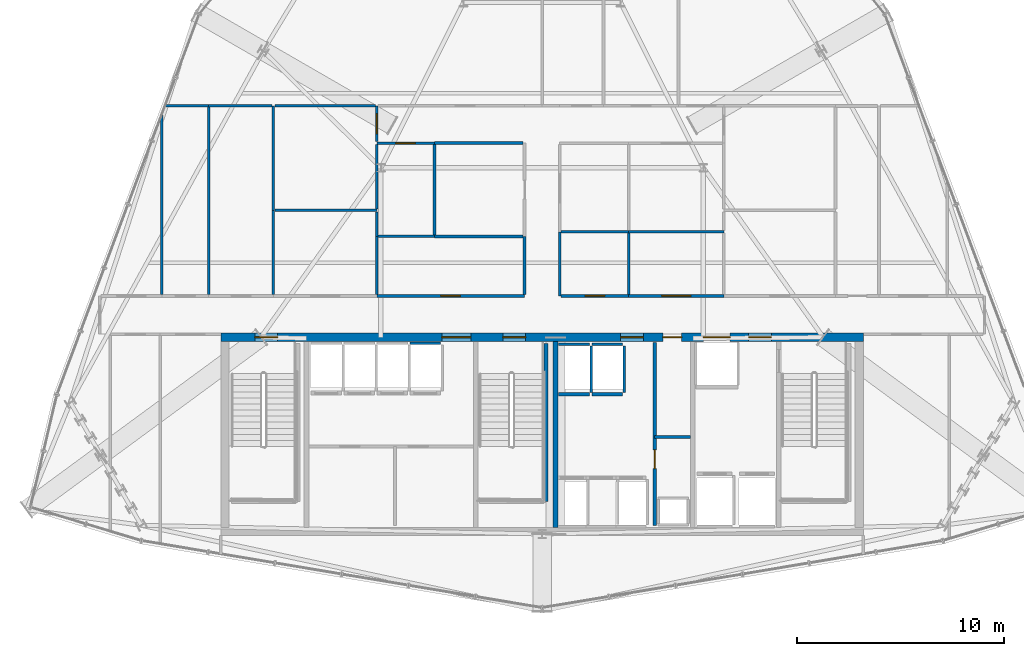
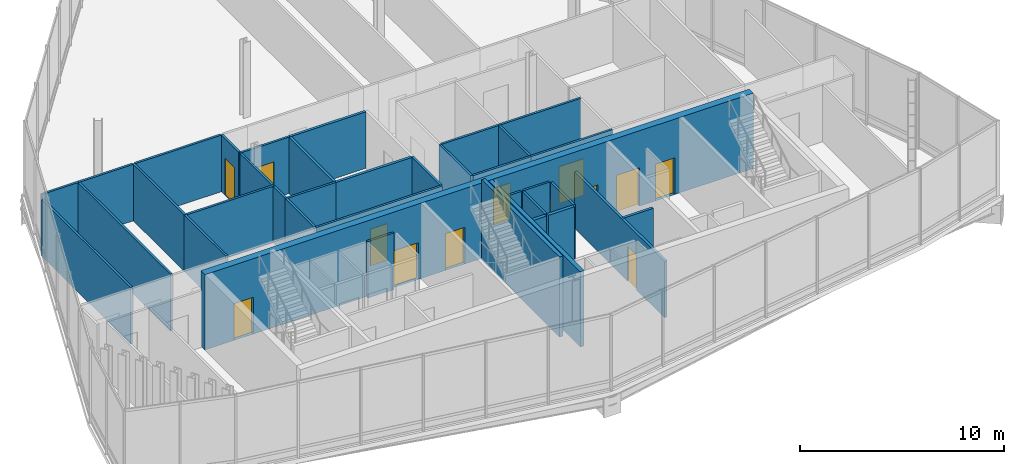
# One storey, part 24 of 29: 37 walls, 13 doors, 13 openings.
"""IFC4 building model written with IfcOpenShell, lengths in metres."""

from ifc_helpers import new_model, si_unit, direction, frame, frame_2d, origin, place, context, subcontext, project, spatial, rectangle, extrude, material, layer, layer_set, type_object, element, fill, save


model = new_model("IFC4")

# Units and contexts
model_context = context("Model", 3, precision=1e-05, world=origin(), true_north=direction((0.0, 1.0)))
body_context = subcontext(model_context, "Body", "Model", "MODEL_VIEW")
ifc_project = project(units=[si_unit("LENGTHUNIT", "METRE"), si_unit("AREAUNIT", "SQUARE_METRE"), si_unit("VOLUMEUNIT", "CUBIC_METRE"), si_unit("PLANEANGLEUNIT", "RADIAN"), si_unit("MASSUNIT", "GRAM", prefix="KILO")], contexts=[model_context])

# Site, building, storey
site_placement = place(None, origin())
site = spatial("IfcSite", under=ifc_project, at=site_placement, CompositionType="ELEMENT")
building_placement = place(site_placement, origin())
building = spatial("IfcBuilding", under=site, at=building_placement, Name="Ndaravel Arena Tower", CompositionType="ELEMENT")
storey_placement = place(building_placement, frame((0.0, 0.0, 208.39990234375)))
storey = spatial("IfcBuildingStorey", under=building, at=storey_placement, Name="L50", CompositionType="ELEMENT", Elevation=208.39990234375)

# Wall, opening, door
ifc_material_1 = material(Name="Gypsum", Category="gypsum")
ifc_layer_1 = layer(ifc_material_1, 0.14990234375)
ifc_layer_set_1 = layer_set([ifc_layer_1], Name="Gypsum")
wall_type_1 = type_object("IfcWallType", Name="WALL-COMP-150", PredefinedType="PARTITIONING", material=ifc_layer_set_1)
wall_1_placement = place(storey_placement, frame((47.449951171875, 5.89990234375, 0.0), z_axis=(0.0, 0.0, 1.0), x_axis=(0.0, 1.0, 0.0)))
wall_1 = element("IfcWall", 1, at=wall_1_placement, inside=storey, type_object=wall_type_1, Name="L50 Core Riser Bay Partition", PredefinedType="PARTITIONING", context=body_context, shape_type="SweptSolid", body=[
    extrude(rectangle(XDim=8.85009765625, YDim=0.14990234375, at=frame_2d((4.425048828125, 0.0))), origin(), (0.0, 0.0, 1.0), 3.39013671875),
])
opening_1_placement = place(wall_1_placement, frame((2.75, 0.0, 0.0)))
opening_1 = element("IfcOpeningElement", 2, at=opening_1_placement, cuts=wall_1, Name="Opening RD-01", PredefinedType="OPENING", context=body_context, shape_type="SweptSolid", body=[
    extrude(rectangle(XDim=0.89990234375, YDim=2.10009765625, at=frame_2d((0.449951171875, 1.050048828125))), frame((0.0, 0.074951171875, 0.0), z_axis=(0.0, -1.0, 0.0), x_axis=(1.0, 0.0, 0.0)), (0.0, 0.0, 1.0), 0.14990234375),
])
ifc_material_2 = material(Name="Steel S355", Category="steel")
door_type_1 = type_object("IfcDoorType", Name="DT-08-RISER-900", OperationType="SINGLE_SWING_LEFT", PredefinedType="DOOR", material=ifc_material_2)
door_1_placement = place(opening_1_placement, origin())
door_1 = element("IfcDoor", 3, at=door_1_placement, inside=storey, type_object=door_type_1, Name="L50 Electrical Riser Door", OperationType="SINGLE_SWING_RIGHT", OverallHeight=2.10009765625, OverallWidth=0.89990234375, PredefinedType="DOOR", context=body_context, shape_type="SweptSolid", body=[
    extrude(rectangle(XDim=0.89990234375, YDim=2.10009765625, at=frame_2d((0.449951171875, 1.050048828125))), frame((0.0, 0.02490234375, 0.0), z_axis=(0.0, -1.0, 0.0), x_axis=(1.0, 0.0, 0.0)), (0.0, 0.0, 1.0), 0.050048828125),
])
fill(opening_1, door_1)

# Walls
wall_2_placement = place(storey_placement, frame((47.449951171875, 10.179931640625, 0.0), z_axis=(0.0, 0.0, 1.0), x_axis=(1.0, 0.0, 0.0)))
element("IfcWall", 4, at=wall_2_placement, inside=storey, type_object=wall_type_1, Name="L50 Core Riser Divider 1", PredefinedType="PARTITIONING", context=body_context, shape_type="SweptSolid", body=[
    extrude(rectangle(XDim=1.72998046875, YDim=0.14990234375, at=frame_2d((0.864990234375, 0.0))), origin(), (0.0, 0.0, 1.0), 3.39013671875),
])
ifc_material_3 = material(Name="Concrete C50/60", Category="concrete")
ifc_layer_2 = layer(ifc_material_3, 0.219970703125)
ifc_layer_set_2 = layer_set([ifc_layer_2], Name="Concrete C50/60")
wall_type_2 = type_object("IfcWallType", Name="WALL-CORE-220", PredefinedType="SOLIDWALL", material=ifc_layer_set_2)
wall_3_placement = place(storey_placement, frame((42.64990234375, 5.800048828125, 0.0), z_axis=(0.0, 0.0, 1.0), x_axis=(0.0, 1.0, 0.0)))
element("IfcWall", 5, at=wall_3_placement, inside=storey, type_object=wall_type_2, Name="L50 Core Web Shear Wall 3", PredefinedType="SOLIDWALL", context=body_context, shape_type="SweptSolid", body=[
    extrude(rectangle(XDim=9.0, YDim=0.219970703125, at=frame_2d((4.5, 0.0))), origin(), (0.0, 0.0, 1.0), 4.52001953125),
])

# Wall, openings, doors
ifc_material_4 = material(Name="Concrete C50/60", Category="concrete")
ifc_layer_3 = layer(ifc_material_4, 0.39990234375)
ifc_layer_set_3 = layer_set([ifc_layer_3], Name="Concrete C50/60")
wall_type_3 = type_object("IfcWallType", Name="WALL-CORE-400", PredefinedType="SOLIDWALL", material=ifc_layer_set_3)
wall_4_placement = place(storey_placement, frame((26.449951171875, 15.0, 0.0), z_axis=(0.0, 0.0, 1.0), x_axis=(1.0, 0.0, 0.0)))
wall_4 = element("IfcWall", 6, at=wall_4_placement, inside=storey, type_object=wall_type_3, Name="L50 Core North Shear Wall", PredefinedType="SOLIDWALL", context=body_context, shape_type="SweptSolid", body=[
    extrude(rectangle(XDim=31.10009765625, YDim=0.39990234375, at=frame_2d((15.550048828125, 0.0))), origin(), (0.0, 0.0, 1.0), 4.52001953125),
])
opening_2_placement = place(wall_4_placement, frame((1.64990234375, 0.0, 0.0)))
opening_2 = element("IfcOpeningElement", 7, at=opening_2_placement, cuts=wall_4, Name="Opening FD-01", PredefinedType="OPENING", context=body_context, shape_type="SweptSolid", body=[
    extrude(rectangle(XDim=1.10009765625, YDim=2.199951171875, at=frame_2d((0.550048828125, 1.10009765625))), frame((0.0, 0.199951171875, 0.0), z_axis=(0.0, -1.0, 0.0), x_axis=(1.0, 0.0, 0.0)), (0.0, 0.0, 1.0), 0.39990234375),
])
opening_3_placement = place(wall_4_placement, frame((13.64990234375, 0.0, 0.0)))
opening_3 = element("IfcOpeningElement", 8, at=opening_3_placement, cuts=wall_4, Name="Opening FD-01", PredefinedType="OPENING", context=body_context, shape_type="SweptSolid", body=[
    extrude(rectangle(XDim=1.10009765625, YDim=2.199951171875, at=frame_2d((0.550048828125, 1.10009765625))), frame((0.0, 0.199951171875, 0.0), z_axis=(0.0, -1.0, 0.0), x_axis=(1.0, 0.0, 0.0)), (0.0, 0.0, 1.0), 0.39990234375),
])
opening_4_placement = place(wall_4_placement, frame((25.550048828125, 0.0, 0.0)))
opening_4 = element("IfcOpeningElement", 9, at=opening_4_placement, cuts=wall_4, Name="Opening FD-01", PredefinedType="OPENING", context=body_context, shape_type="SweptSolid", body=[
    extrude(rectangle(XDim=1.10009765625, YDim=2.199951171875, at=frame_2d((0.550048828125, 1.10009765625))), frame((0.0, 0.199951171875, 0.0), z_axis=(0.0, -1.0, 0.0), x_axis=(1.0, 0.0, 0.0)), (0.0, 0.0, 1.0), 0.39990234375),
])
opening_5_placement = place(wall_4_placement, frame((10.699951171875, 0.0, 0.0)))
opening_5 = element("IfcOpeningElement", 10, at=opening_5_placement, cuts=wall_4, Name="Opening ID-02", PredefinedType="OPENING", context=body_context, shape_type="SweptSolid", body=[
    extrude(rectangle(XDim=1.39990234375, YDim=2.199951171875, at=frame_2d((0.699951171875, 1.10009765625))), frame((0.0, 0.199951171875, 0.0), z_axis=(0.0, -1.0, 0.0), x_axis=(1.0, 0.0, 0.0)), (0.0, 0.0, 1.0), 0.39990234375),
])
opening_6_placement = place(wall_4_placement, frame((19.35009765625, 0.0, 0.0)))
opening_6 = element("IfcOpeningElement", 11, at=opening_6_placement, cuts=wall_4, Name="Opening FD-01", PredefinedType="OPENING", context=body_context, shape_type="SweptSolid", body=[
    extrude(rectangle(XDim=1.10009765625, YDim=2.199951171875, at=frame_2d((0.550048828125, 1.10009765625))), frame((0.0, 0.199951171875, 0.0), z_axis=(0.0, -1.0, 0.0), x_axis=(1.0, 0.0, 0.0)), (0.0, 0.0, 1.0), 0.39990234375),
])
opening_7_placement = place(wall_4_placement, frame((21.39990234375, 0.0, 0.0)))
opening_7 = element("IfcOpeningElement", 12, at=opening_7_placement, cuts=wall_4, Name="Opening RD-01", PredefinedType="OPENING", context=body_context, shape_type="SweptSolid", body=[
    extrude(rectangle(XDim=0.89990234375, YDim=2.10009765625, at=frame_2d((0.449951171875, 1.050048828125))), frame((0.0, 0.199951171875, 0.0), z_axis=(0.0, -1.0, 0.0), x_axis=(1.0, 0.0, 0.0)), (0.0, 0.0, 1.0), 0.39990234375),
])
opening_8_placement = place(wall_4_placement, frame((23.35009765625, 0.0, 0.0)))
opening_8 = element("IfcOpeningElement", 13, at=opening_8_placement, cuts=wall_4, Name="Opening LD-02", PredefinedType="OPENING", context=body_context, shape_type="SweptSolid", body=[
    extrude(rectangle(XDim=1.300048828125, YDim=2.300048828125, at=frame_2d((0.64990234375, 1.14990234375))), frame((0.0, 0.199951171875, 0.0), z_axis=(0.0, -1.0, 0.0), x_axis=(1.0, 0.0, 0.0)), (0.0, 0.0, 1.0), 0.39990234375),
])
ifc_material_5 = material(Name="Steel S355", Category="steel")
door_type_2 = type_object("IfcDoorType", Name="DT-01-STAIR-1100", OperationType="SINGLE_SWING_LEFT", PredefinedType="DOOR", material=ifc_material_5)
door_2_placement = place(opening_2_placement, origin())
door_2 = element("IfcDoor", 14, at=door_2_placement, inside=storey, type_object=door_type_2, Name="L50 Exit Stair ST-1 Door", OperationType="SINGLE_SWING_LEFT", OverallHeight=2.199951171875, OverallWidth=1.10009765625, PredefinedType="DOOR", context=body_context, shape_type="SweptSolid", body=[
    extrude(rectangle(XDim=1.10009765625, YDim=2.199951171875, at=frame_2d((0.550048828125, 1.10009765625))), frame((0.0, 0.02490234375, 0.0), z_axis=(0.0, -1.0, 0.0), x_axis=(1.0, 0.0, 0.0)), (0.0, 0.0, 1.0), 0.050048828125),
])
fill(opening_2, door_2)
door_3_placement = place(opening_3_placement, origin())
door_3 = element("IfcDoor", 15, at=door_3_placement, inside=storey, type_object=door_type_2, Name="L50 Exit Stair ST-2 Door", OperationType="SINGLE_SWING_RIGHT", OverallHeight=2.199951171875, OverallWidth=1.10009765625, PredefinedType="DOOR", context=body_context, shape_type="SweptSolid", body=[
    extrude(rectangle(XDim=1.10009765625, YDim=2.199951171875, at=frame_2d((0.550048828125, 1.10009765625))), frame((0.0, 0.02490234375, 0.0), z_axis=(0.0, -1.0, 0.0), x_axis=(1.0, 0.0, 0.0)), (0.0, 0.0, 1.0), 0.050048828125),
])
fill(opening_3, door_3)
door_4_placement = place(opening_4_placement, origin())
door_4 = element("IfcDoor", 16, at=door_4_placement, inside=storey, type_object=door_type_2, Name="L50 Firefighting Lift Lobby Door", OperationType="SINGLE_SWING_RIGHT", OverallHeight=2.199951171875, OverallWidth=1.10009765625, PredefinedType="DOOR", context=body_context, shape_type="SweptSolid", body=[
    extrude(rectangle(XDim=1.10009765625, YDim=2.199951171875, at=frame_2d((0.550048828125, 1.10009765625))), frame((0.0, 0.02490234375, 0.0), z_axis=(0.0, -1.0, 0.0), x_axis=(1.0, 0.0, 0.0)), (0.0, 0.0, 1.0), 0.050048828125),
])
fill(opening_4, door_4)
door_5_placement = place(opening_6_placement, origin())
door_5 = element("IfcDoor", 17, at=door_5_placement, inside=storey, type_object=door_type_2, Name="L50 Express Lift Lobby Entry Door", OperationType="SINGLE_SWING_LEFT", OverallHeight=2.199951171875, OverallWidth=1.10009765625, PredefinedType="DOOR", context=body_context, shape_type="SweptSolid", body=[
    extrude(rectangle(XDim=1.10009765625, YDim=2.199951171875, at=frame_2d((0.550048828125, 1.10009765625))), frame((0.0, 0.02490234375, 0.0), z_axis=(0.0, -1.0, 0.0), x_axis=(1.0, 0.0, 0.0)), (0.0, 0.0, 1.0), 0.050048828125),
])
fill(opening_6, door_5)
ifc_material_6 = material(Name="Timber", Category="wood")
door_type_3 = type_object("IfcDoorType", Name="DT-04-SUITE-1400", OperationType="DOUBLE_DOOR_SINGLE_SWING", PredefinedType="DOOR", material=ifc_material_6)
door_6_placement = place(opening_5_placement, origin())
door_6 = element("IfcDoor", 18, at=door_6_placement, inside=storey, type_object=door_type_3, Name="L50 West Lift Lobby Entry Door", OperationType="DOUBLE_DOOR_SINGLE_SWING", OverallHeight=2.199951171875, OverallWidth=1.39990234375, PredefinedType="DOOR", context=body_context, shape_type="SweptSolid", body=[
    extrude(rectangle(XDim=1.39990234375, YDim=2.199951171875, at=frame_2d((0.699951171875, 1.10009765625))), frame((0.0, 0.02490234375, 0.0), z_axis=(0.0, -1.0, 0.0), x_axis=(1.0, 0.0, 0.0)), (0.0, 0.0, 1.0), 0.050048828125),
])
fill(opening_5, door_6)
ifc_material_7 = material(Name="Steel S355", Category="steel")
door_type_4 = type_object("IfcDoorType", Name="DT-07-SVLIFT-1300", OperationType="DOUBLE_DOOR_SLIDING", PredefinedType="DOOR", material=ifc_material_7)
door_7_placement = place(opening_8_placement, origin())
door_7 = element("IfcDoor", 19, at=door_7_placement, inside=storey, type_object=door_type_4, Name="L50 Lift SVL-1 Sliding Landing Door", OperationType="DOUBLE_DOOR_SLIDING", OverallHeight=2.300048828125, OverallWidth=1.300048828125, PredefinedType="DOOR", context=body_context, shape_type="SweptSolid", body=[
    extrude(rectangle(XDim=1.300048828125, YDim=2.300048828125, at=frame_2d((0.64990234375, 1.14990234375))), frame((0.0, 0.02490234375, 0.0), z_axis=(0.0, -1.0, 0.0), x_axis=(1.0, 0.0, 0.0)), (0.0, 0.0, 1.0), 0.050048828125),
])
fill(opening_8, door_7)
door_8_placement = place(opening_7_placement, origin())
door_8 = element("IfcDoor", 20, at=door_8_placement, inside=storey, type_object=door_type_1, Name="L50 Core Service Riser North Door", OperationType="SINGLE_SWING_LEFT", OverallHeight=2.10009765625, OverallWidth=0.89990234375, PredefinedType="DOOR", context=body_context, shape_type="SweptSolid", body=[
    extrude(rectangle(XDim=0.89990234375, YDim=2.10009765625, at=frame_2d((0.449951171875, 1.050048828125))), frame((0.0, 0.02490234375, 0.0), z_axis=(0.0, -1.0, 0.0), x_axis=(1.0, 0.0, 0.0)), (0.0, 0.0, 1.0), 0.050048828125),
])
fill(opening_7, door_8)

# Wall, opening, door
ifc_material_8 = material(Name="Gypsum", Category="gypsum")
ifc_layer_4 = layer(ifc_material_8, 0.125)
ifc_layer_set_4 = layer_set([ifc_layer_4], Name="Gypsum")
wall_type_4 = type_object("IfcWallType", Name="WALL-PART-125", PredefinedType="PARTITIONING", material=ifc_layer_set_4)
wall_5_placement = place(storey_placement, frame((34.0, 17.0, 0.0), z_axis=(0.0, 0.0, 1.0), x_axis=(1.0, 0.0, 0.0)))
wall_5 = element("IfcWall", 21, at=wall_5_placement, inside=storey, type_object=wall_type_4, Name="L50 Interior Partition 011", PredefinedType="PARTITIONING", context=body_context, shape_type="SweptSolid", body=[
    extrude(rectangle(XDim=7.14990234375, YDim=0.125, at=frame_2d((3.574951171875, 0.0))), origin(), (0.0, 0.0, 1.0), 3.39013671875),
])
opening_9_placement = place(wall_5_placement, frame((3.10009765625, 0.0, 0.0)))
opening_9 = element("IfcOpeningElement", 22, at=opening_9_placement, cuts=wall_5, Name="Opening ID-01", PredefinedType="OPENING", context=body_context, shape_type="SweptSolid", body=[
    extrude(rectangle(XDim=0.949951171875, YDim=2.199951171875, at=frame_2d((0.47509765625, 1.10009765625))), frame((0.0, 0.0625, 0.0), z_axis=(0.0, -1.0, 0.0), x_axis=(1.0, 0.0, 0.0)), (0.0, 0.0, 1.0), 0.125),
])
ifc_material_9 = material(Name="Timber", Category="wood")
door_type_5 = type_object("IfcDoorType", Name="DT-03-OFFICE-950", OperationType="SINGLE_SWING_LEFT", PredefinedType="DOOR", material=ifc_material_9)
door_9_placement = place(opening_9_placement, origin())
door_9 = element("IfcDoor", 23, at=door_9_placement, inside=storey, type_object=door_type_5, Name="L50 Quiet Study Room 3 Door", OperationType="SINGLE_SWING_RIGHT", OverallHeight=2.199951171875, OverallWidth=0.949951171875, PredefinedType="DOOR", context=body_context, shape_type="SweptSolid", body=[
    extrude(rectangle(XDim=0.949951171875, YDim=2.199951171875, at=frame_2d((0.47509765625, 1.10009765625))), frame((0.0, 0.02490234375, 0.0), z_axis=(0.0, -1.0, 0.0), x_axis=(1.0, 0.0, 0.0)), (0.0, 0.0, 1.0), 0.050048828125),
])
fill(opening_9, door_9)

# Wall
wall_6_placement = place(storey_placement, frame((41.14990234375, 17.06494140625, 0.0), z_axis=(0.0, 0.0, 1.0), x_axis=(0.0, 1.0, 0.0)))
element("IfcWall", 24, at=wall_6_placement, inside=storey, type_object=wall_type_4, Name="L50 Interior Partition 012", PredefinedType="PARTITIONING", context=body_context, shape_type="SweptSolid", body=[
    extrude(rectangle(XDim=2.821044921875, YDim=0.125, at=frame_2d((1.41064453125, 0.0))), origin(), (0.0, 0.0, 1.0), 3.39013671875),
])

# Wall, opening, door
wall_7_placement = place(storey_placement, frame((36.78857421875, 24.39990234375, 0.0), z_axis=(0.0, 0.0, 1.0), x_axis=(-1.0, 0.0, 0.0)))
wall_7 = element("IfcWall", 25, at=wall_7_placement, inside=storey, type_object=wall_type_4, Name="L50 Interior Partition 015", PredefinedType="PARTITIONING", context=body_context, shape_type="SweptSolid", body=[
    extrude(rectangle(XDim=2.78857421875, YDim=0.125, at=frame_2d((1.394287109375, 0.0))), origin(), (0.0, 0.0, 1.0), 3.39013671875),
])
opening_10_placement = place(wall_7_placement, frame((0.919189453125, 0.0, 0.0)))
opening_10 = element("IfcOpeningElement", 26, at=opening_10_placement, cuts=wall_7, Name="Opening ID-01", PredefinedType="OPENING", context=body_context, shape_type="SweptSolid", body=[
    extrude(rectangle(XDim=0.949951171875, YDim=2.199951171875, at=frame_2d((0.47509765625, 1.10009765625))), frame((0.0, 0.0625, 0.0), z_axis=(0.0, -1.0, 0.0), x_axis=(1.0, 0.0, 0.0)), (0.0, 0.0, 1.0), 0.125),
])
door_10_placement = place(opening_10_placement, origin())
door_10 = element("IfcDoor", 27, at=door_10_placement, inside=storey, type_object=door_type_5, Name="L50 Quiet Study Room 7 Door", OperationType="SINGLE_SWING_RIGHT", OverallHeight=2.199951171875, OverallWidth=0.949951171875, PredefinedType="DOOR", context=body_context, shape_type="SweptSolid", body=[
    extrude(rectangle(XDim=0.949951171875, YDim=2.199951171875, at=frame_2d((0.47509765625, 1.10009765625))), frame((0.0, 0.02490234375, 0.0), z_axis=(0.0, -1.0, 0.0), x_axis=(1.0, 0.0, 0.0)), (0.0, 0.0, 1.0), 0.050048828125),
])
fill(opening_10, door_10)

wall_8_placement = place(storey_placement, frame((34.0, 24.465087890625, 0.0), z_axis=(0.0, 0.0, 1.0), x_axis=(0.0, 1.0, 0.0)))
wall_8 = element("IfcWall", 28, at=wall_8_placement, inside=storey, type_object=wall_type_4, Name="L50 Interior Partition 016", PredefinedType="PARTITIONING", context=body_context, shape_type="SweptSolid", body=[
    extrude(rectangle(XDim=1.73486328125, YDim=0.125, at=frame_2d((0.867431640625, 0.0))), origin(), (0.0, 0.0, 1.0), 3.39013671875),
])
opening_11_placement = place(wall_8_placement, frame((0.392578125, 0.0, 0.0)))
opening_11 = element("IfcOpeningElement", 29, at=opening_11_placement, cuts=wall_8, Name="Opening ID-01", PredefinedType="OPENING", context=body_context, shape_type="SweptSolid", body=[
    extrude(rectangle(XDim=0.949951171875, YDim=2.199951171875, at=frame_2d((0.47509765625, 1.10009765625))), frame((0.0, 0.0625, 0.0), z_axis=(0.0, -1.0, 0.0), x_axis=(1.0, 0.0, 0.0)), (0.0, 0.0, 1.0), 0.125),
])
door_11_placement = place(opening_11_placement, origin())
door_11 = element("IfcDoor", 30, at=door_11_placement, inside=storey, type_object=door_type_5, Name="L50 Client Concierge Parlour 8 Door", OperationType="SINGLE_SWING_RIGHT", OverallHeight=2.199951171875, OverallWidth=0.949951171875, PredefinedType="DOOR", context=body_context, shape_type="SweptSolid", body=[
    extrude(rectangle(XDim=0.949951171875, YDim=2.199951171875, at=frame_2d((0.47509765625, 1.10009765625))), frame((0.0, 0.02490234375, 0.0), z_axis=(0.0, -1.0, 0.0), x_axis=(1.0, 0.0, 0.0)), (0.0, 0.0, 1.0), 0.050048828125),
])
fill(opening_11, door_11)

# Wall
wall_9_placement = place(storey_placement, frame((42.85009765625, 20.10791015625, 0.0), z_axis=(0.0, 0.0, 1.0), x_axis=(0.0, -1.0, 0.0)))
element("IfcWall", 31, at=wall_9_placement, inside=storey, type_object=wall_type_4, Name="L50 Interior Partition 028", PredefinedType="PARTITIONING", context=body_context, shape_type="SweptSolid", body=[
    extrude(rectangle(XDim=3.10791015625, YDim=0.125, at=frame_2d((1.553955078125, 0.0))), origin(), (0.0, 0.0, 1.0), 3.39013671875),
])

# Wall, opening, door
wall_10_placement = place(storey_placement, frame((42.9150390625, 17.0, 0.0), z_axis=(0.0, 0.0, 1.0), x_axis=(1.0, 0.0, 0.0)))
wall_10 = element("IfcWall", 32, at=wall_10_placement, inside=storey, type_object=wall_type_4, Name="L50 Interior Partition 029", PredefinedType="PARTITIONING", context=body_context, shape_type="SweptSolid", body=[
    extrude(rectangle(XDim=3.27392578125, YDim=0.125, at=frame_2d((1.636962890625, 0.0))), origin(), (0.0, 0.0, 1.0), 3.39013671875),
])
opening_12_placement = place(wall_10_placement, frame((1.162109375, 0.0, 0.0)))
opening_12 = element("IfcOpeningElement", 33, at=opening_12_placement, cuts=wall_10, Name="Opening ID-01", PredefinedType="OPENING", context=body_context, shape_type="SweptSolid", body=[
    extrude(rectangle(XDim=0.949951171875, YDim=2.199951171875, at=frame_2d((0.47509765625, 1.10009765625))), frame((0.0, 0.0625, 0.0), z_axis=(0.0, -1.0, 0.0), x_axis=(1.0, 0.0, 0.0)), (0.0, 0.0, 1.0), 0.125),
])
door_12_placement = place(opening_12_placement, origin())
door_12 = element("IfcDoor", 34, at=door_12_placement, inside=storey, type_object=door_type_5, Name="L50 Concierge Arrival Salon 2 Door", OperationType="SINGLE_SWING_LEFT", OverallHeight=2.199951171875, OverallWidth=0.949951171875, PredefinedType="DOOR", context=body_context, shape_type="SweptSolid", body=[
    extrude(rectangle(XDim=0.949951171875, YDim=2.199951171875, at=frame_2d((0.47509765625, 1.10009765625))), frame((0.0, 0.02490234375, 0.0), z_axis=(0.0, -1.0, 0.0), x_axis=(1.0, 0.0, 0.0)), (0.0, 0.0, 1.0), 0.050048828125),
])
fill(opening_12, door_12)

wall_11_placement = place(storey_placement, frame((46.18896484375, 17.0, 0.0), z_axis=(0.0, 0.0, 1.0), x_axis=(1.0, 0.0, 0.0)))
wall_11 = element("IfcWall", 35, at=wall_11_placement, inside=storey, type_object=wall_type_4, Name="L50 Interior Partition 030", PredefinedType="PARTITIONING", context=body_context, shape_type="SweptSolid", body=[
    extrude(rectangle(XDim=4.611083984375, YDim=0.125, at=frame_2d((2.3056640625, 0.0))), origin(), (0.0, 0.0, 1.0), 3.39013671875),
])
opening_13_placement = place(wall_11_placement, frame((1.60546875, 0.0, 0.0)))
opening_13 = element("IfcOpeningElement", 36, at=opening_13_placement, cuts=wall_11, Name="Opening ID-02", PredefinedType="OPENING", context=body_context, shape_type="SweptSolid", body=[
    extrude(rectangle(XDim=1.39990234375, YDim=2.199951171875, at=frame_2d((0.699951171875, 1.10009765625))), frame((0.0, 0.0625, 0.0), z_axis=(0.0, -1.0, 0.0), x_axis=(1.0, 0.0, 0.0)), (0.0, 0.0, 1.0), 0.125),
])
door_13_placement = place(opening_13_placement, origin())
door_13 = element("IfcDoor", 37, at=door_13_placement, inside=storey, type_object=door_type_3, Name="L50 Tenant Reception Suite 3 Door", OperationType="SINGLE_SWING_RIGHT", OverallHeight=2.199951171875, OverallWidth=1.39990234375, PredefinedType="DOOR", context=body_context, shape_type="SweptSolid", body=[
    extrude(rectangle(XDim=1.39990234375, YDim=2.199951171875, at=frame_2d((0.699951171875, 1.10009765625))), frame((0.0, 0.02490234375, 0.0), z_axis=(0.0, -1.0, 0.0), x_axis=(1.0, 0.0, 0.0)), (0.0, 0.0, 1.0), 0.050048828125),
])
fill(opening_13, door_13)

# Walls
wall_12_placement = place(storey_placement, frame((34.0, 17.06494140625, 0.0), z_axis=(0.0, 0.0, 1.0), x_axis=(0.0, 1.0, 0.0)))
element("IfcWall", 38, at=wall_12_placement, inside=storey, type_object=wall_type_4, Name="L50 Interior Partition 040", PredefinedType="PARTITIONING", context=body_context, shape_type="SweptSolid", body=[
    extrude(rectangle(XDim=2.821044921875, YDim=0.125, at=frame_2d((1.41064453125, 0.0))), origin(), (0.0, 0.0, 1.0), 3.39013671875),
])
wall_13_placement = place(storey_placement, frame((34.06494140625, 19.885986328125, 0.0), z_axis=(0.0, 0.0, 1.0), x_axis=(1.0, 0.0, 0.0)))
element("IfcWall", 39, at=wall_13_placement, inside=storey, type_object=wall_type_4, Name="L50 Interior Partition 041", PredefinedType="PARTITIONING", context=body_context, shape_type="SweptSolid", body=[
    extrude(rectangle(XDim=2.7236328125, YDim=0.125, at=frame_2d((1.36181640625, 0.0))), origin(), (0.0, 0.0, 1.0), 3.39013671875),
])
wall_14_placement = place(storey_placement, frame((42.9150390625, 20.10791015625, 0.0), z_axis=(0.0, 0.0, 1.0), x_axis=(1.0, 0.0, 0.0)))
element("IfcWall", 40, at=wall_14_placement, inside=storey, type_object=wall_type_4, Name="L50 Interior Partition 043", PredefinedType="PARTITIONING", context=body_context, shape_type="SweptSolid", body=[
    extrude(rectangle(XDim=3.27392578125, YDim=0.125, at=frame_2d((1.636962890625, 0.0))), origin(), (0.0, 0.0, 1.0), 3.39013671875),
])
wall_15_placement = place(storey_placement, frame((46.18896484375, 20.04296875, 0.0), z_axis=(0.0, 0.0, 1.0), x_axis=(0.0, -1.0, 0.0)))
element("IfcWall", 41, at=wall_15_placement, inside=storey, type_object=wall_type_4, Name="L50 Interior Partition 044", PredefinedType="PARTITIONING", context=body_context, shape_type="SweptSolid", body=[
    extrude(rectangle(XDim=2.97802734375, YDim=0.125, at=frame_2d((1.489013671875, 0.0))), origin(), (0.0, 0.0, 1.0), 3.39013671875),
])
wall_16_placement = place(storey_placement, frame((46.18896484375, 20.10791015625, 0.0), z_axis=(0.0, 0.0, 1.0), x_axis=(1.0, 0.0, 0.0)))
element("IfcWall", 42, at=wall_16_placement, inside=storey, type_object=wall_type_4, Name="L50 Interior Partition 045", PredefinedType="PARTITIONING", context=body_context, shape_type="SweptSolid", body=[
    extrude(rectangle(XDim=4.611083984375, YDim=0.125, at=frame_2d((2.3056640625, 0.0))), origin(), (0.0, 0.0, 1.0), 3.39013671875),
])
wall_17_placement = place(storey_placement, frame((29.0, 17.06494140625, 0.0), z_axis=(0.0, 0.0, 1.0), x_axis=(0.0, 1.0, 0.0)))
element("IfcWall", 43, at=wall_17_placement, inside=storey, type_object=wall_type_4, Name="L50 Interior Partition 047", PredefinedType="PARTITIONING", context=body_context, shape_type="SweptSolid", body=[
    extrude(rectangle(XDim=4.074951171875, YDim=0.125, at=frame_2d((2.03759765625, 0.0))), origin(), (0.0, 0.0, 1.0), 3.39013671875),
])
wall_18_placement = place(storey_placement, frame((29.06494140625, 21.139892578125, 0.0), z_axis=(0.0, 0.0, 1.0), x_axis=(1.0, 0.0, 0.0)))
element("IfcWall", 44, at=wall_18_placement, inside=storey, type_object=wall_type_4, Name="L50 Interior Partition 048", PredefinedType="PARTITIONING", context=body_context, shape_type="SweptSolid", body=[
    extrude(rectangle(XDim=4.93505859375, YDim=0.125, at=frame_2d((2.467529296875, 0.0))), origin(), (0.0, 0.0, 1.0), 3.39013671875),
])
wall_19_placement = place(storey_placement, frame((34.0, 21.074951171875, 0.0), z_axis=(0.0, 0.0, 1.0), x_axis=(0.0, -1.0, 0.0)))
element("IfcWall", 45, at=wall_19_placement, inside=storey, type_object=wall_type_4, Name="L50 Interior Partition 049", PredefinedType="PARTITIONING", context=body_context, shape_type="SweptSolid", body=[
    extrude(rectangle(XDim=1.18896484375, YDim=0.125, at=frame_2d((0.594482421875, 0.0))), origin(), (0.0, 0.0, 1.0), 3.39013671875),
])
wall_20_placement = place(storey_placement, frame((23.60009765625, 25.795654296875, 0.0), z_axis=(0.0, 0.0, 1.0), x_axis=(0.0, -1.0, 0.0)))
element("IfcWall", 46, at=wall_20_placement, inside=storey, type_object=wall_type_4, Name="L50 Interior Partition 053", PredefinedType="PARTITIONING", context=body_context, shape_type="SweptSolid", body=[
    extrude(rectangle(XDim=8.730712890625, YDim=0.125, at=frame_2d((4.365234375, 0.0))), origin(), (0.0, 0.0, 1.0), 3.39013671875),
])
wall_21_placement = place(storey_placement, frame((23.751220703125, 26.199951171875, 0.0), z_axis=(0.0, 0.0, 1.0), x_axis=(1.0, 0.0, 0.0)))
element("IfcWall", 47, at=wall_21_placement, inside=storey, type_object=wall_type_4, Name="L50 Interior Partition 057", PredefinedType="PARTITIONING", context=body_context, shape_type="SweptSolid", body=[
    extrude(rectangle(XDim=2.11669921875, YDim=0.125, at=frame_2d((1.058349609375, 0.0))), origin(), (0.0, 0.0, 1.0), 3.39013671875),
])
wall_22_placement = place(storey_placement, frame((25.867919921875, 26.135009765625, 0.0), z_axis=(0.0, 0.0, 1.0), x_axis=(0.0, -1.0, 0.0)))
element("IfcWall", 48, at=wall_22_placement, inside=storey, type_object=wall_type_4, Name="L50 Interior Partition 058", PredefinedType="PARTITIONING", context=body_context, shape_type="SweptSolid", body=[
    extrude(rectangle(XDim=9.070068359375, YDim=0.125, at=frame_2d((4.53515625, 0.0))), origin(), (0.0, 0.0, 1.0), 3.39013671875),
])
wall_23_placement = place(storey_placement, frame((29.0, 26.199951171875, 0.0), z_axis=(0.0, 0.0, 1.0), x_axis=(0.0, -1.0, 0.0)))
element("IfcWall", 49, at=wall_23_placement, inside=storey, type_object=wall_type_4, Name="L50 Interior Partition 059", PredefinedType="PARTITIONING", context=body_context, shape_type="SweptSolid", body=[
    extrude(rectangle(XDim=5.06005859375, YDim=0.125, at=frame_2d((2.530029296875, 0.0))), origin(), (0.0, 0.0, 1.0), 3.39013671875),
])
wall_24_placement = place(storey_placement, frame((25.867919921875, 26.199951171875, 0.0), z_axis=(0.0, 0.0, 1.0), x_axis=(1.0, 0.0, 0.0)))
element("IfcWall", 50, at=wall_24_placement, inside=storey, type_object=wall_type_4, Name="L50 Interior Partition 060", PredefinedType="PARTITIONING", context=body_context, shape_type="SweptSolid", body=[
    extrude(rectangle(XDim=3.067138671875, YDim=0.125, at=frame_2d((1.53369140625, 0.0))), origin(), (0.0, 0.0, 1.0), 3.39013671875),
])
wall_25_placement = place(storey_placement, frame((34.0, 21.205078125, 0.0), z_axis=(0.0, 0.0, 1.0), x_axis=(0.0, 1.0, 0.0)))
element("IfcWall", 51, at=wall_25_placement, inside=storey, type_object=wall_type_4, Name="L50 Interior Partition 064", PredefinedType="PARTITIONING", context=body_context, shape_type="SweptSolid", body=[
    extrude(rectangle(XDim=3.1298828125, YDim=0.125, at=frame_2d((1.56494140625, 0.0))), origin(), (0.0, 0.0, 1.0), 3.39013671875),
])
wall_26_placement = place(storey_placement, frame((29.06494140625, 26.199951171875, 0.0), z_axis=(0.0, 0.0, 1.0), x_axis=(1.0, 0.0, 0.0)))
element("IfcWall", 52, at=wall_26_placement, inside=storey, type_object=wall_type_4, Name="L50 Interior Partition 067", PredefinedType="PARTITIONING", context=body_context, shape_type="SweptSolid", body=[
    extrude(rectangle(XDim=4.8701171875, YDim=0.125, at=frame_2d((2.43505859375, 0.0))), origin(), (0.0, 0.0, 1.0), 3.39013671875),
])
ifc_material_10 = material(Name="Concrete C40/50", Category="concrete")
ifc_layer_5 = layer(ifc_material_10, 0.1201171875)
ifc_layer_set_5 = layer_set([ifc_layer_5], Name="Concrete C40/50")
wall_type_5 = type_object("IfcWallType", Name="WALL-SHAFT-120", PredefinedType="SOLIDWALL", material=ifc_layer_set_5)
for number, where, z_axis, x_axis, name in (
    (53, (35.60498046875, 14.7099609375, 0.0), (0.0, 0.0, 1.0), (1.0, 0.0, 0.0), "L50 PL-M4 Shaft Rear Wall"),
    (54, (42.804931640625, 14.659912109375, 0.0), (0.0, 0.0, 1.0), (1.0, 0.0, 0.0), "L50 PL-OBS1 Shaft Rear Wall"),
):
    element("IfcWall", number, at=place(storey_placement, frame(where, z_axis=z_axis, x_axis=x_axis)), inside=storey, type_object=wall_type_5, Name=name, PredefinedType="SOLIDWALL", context=body_context, shape_type="SweptSolid", body=[
        extrude(rectangle(XDim=1.489990234375, YDim=0.1201171875, at=frame_2d((0.7451171875, 0.0))), origin(), (0.0, 0.0, 1.0), 3.39013671875),
    ])
wall_27_placement = place(storey_placement, frame((44.375, 12.340087890625, 0.0), z_axis=(0.0, 0.0, 1.0), x_axis=(0.0, 1.0, 0.0)))
element("IfcWall", 55, at=wall_27_placement, inside=storey, type_object=wall_type_5, Name="L50 PL-OBS1 Shaft Side R Wall", PredefinedType="SOLIDWALL", context=body_context, shape_type="SweptSolid", body=[
    extrude(rectangle(XDim=2.22998046875, YDim=0.1201171875, at=frame_2d((1.114990234375, 0.0))), origin(), (0.0, 0.0, 1.0), 3.39013671875),
])
wall_28_placement = place(storey_placement, frame((44.405029296875, 14.659912109375, 0.0), z_axis=(0.0, 0.0, 1.0), x_axis=(1.0, 0.0, 0.0)))
element("IfcWall", 56, at=wall_28_placement, inside=storey, type_object=wall_type_5, Name="L50 PL-OBS2 Shaft Rear Wall", PredefinedType="SOLIDWALL", context=body_context, shape_type="SweptSolid", body=[
    extrude(rectangle(XDim=1.489990234375, YDim=0.1201171875, at=frame_2d((0.7451171875, 0.0))), origin(), (0.0, 0.0, 1.0), 3.39013671875),
])
wall_29_placement = place(storey_placement, frame((45.97509765625, 12.340087890625, 0.0), z_axis=(0.0, 0.0, 1.0), x_axis=(0.0, 1.0, 0.0)))
element("IfcWall", 57, at=wall_29_placement, inside=storey, type_object=wall_type_5, Name="L50 PL-OBS2 Shaft Side R Wall", PredefinedType="SOLIDWALL", context=body_context, shape_type="SweptSolid", body=[
    extrude(rectangle(XDim=2.22998046875, YDim=0.1201171875, at=frame_2d((1.114990234375, 0.0))), origin(), (0.0, 0.0, 1.0), 3.39013671875),
])
ifc_material_11 = material(Name="Concrete C40/50", Category="concrete")
ifc_layer_6 = layer(ifc_material_11, 0.199951171875)
ifc_layer_set_6 = layer_set([ifc_layer_6], Name="Concrete C40/50")
wall_type_6 = type_object("IfcWallType", Name="WALL-SHAFT-200", PredefinedType="SOLIDWALL", material=ifc_layer_set_6)
wall_30_placement = place(storey_placement, frame((42.18994140625, 14.699951171875, 0.0), z_axis=(0.0, 0.0, 1.0), x_axis=(0.0, -1.0, 0.0)))
element("IfcWall", 58, at=wall_30_placement, inside=storey, type_object=wall_type_6, Name="L50 ST-2 Structural Shaft Wall Right", PredefinedType="SOLIDWALL", context=body_context, shape_type="SweptSolid", body=[
    extrude(rectangle(XDim=7.64990234375, YDim=0.199951171875, at=frame_2d((3.824951171875, 0.0))), origin(), (0.0, 0.0, 1.0), 4.800048828125),
])
for number, where, z_axis, x_axis, name in (
    (59, (42.804931640625, 12.25, 0.0), (0.0, 0.0, 1.0), (1.0, 0.0, 0.0), "L50 PL-OBS1 Shaft Landing Wall"),
    (60, (44.405029296875, 12.25, 0.0), (0.0, 0.0, 1.0), (1.0, 0.0, 0.0), "L50 PL-OBS2 Shaft Landing Wall"),
):
    element("IfcWall", number, at=place(storey_placement, frame(where, z_axis=z_axis, x_axis=x_axis)), inside=storey, type_object=wall_type_6, Name=name, PredefinedType="SOLIDWALL", context=body_context, shape_type="SweptSolid", body=[
        extrude(rectangle(XDim=1.489990234375, YDim=0.179931640625, at=frame_2d((0.7451171875, 0.0))), origin(), (0.0, 0.0, 1.0), 3.39013671875),
    ])
ifc_material_12 = material(Name="Masonry", Category="masonry")
ifc_layer_7 = layer(ifc_material_12, 0.14990234375)
ifc_layer_set_7 = layer_set([ifc_layer_7], Name="Masonry")
wall_type_7 = type_object("IfcWallType", Name="WALL-WET-150", PredefinedType="PARTITIONING", material=ifc_layer_set_7)
for number, where, z_axis, x_axis, name in (
    (61, (41.0849609375, 24.39990234375, 0.0), (0.0, 0.0, 1.0), (-1.0, 0.0, 0.0), "L50 Interior Partition 014"),
    (62, (36.78857421875, 19.885986328125, 0.0), (0.0, 0.0, 1.0), (1.0, 0.0, 0.0), "L50 Interior Partition 042"),
):
    element("IfcWall", number, at=place(storey_placement, frame(where, z_axis=z_axis, x_axis=x_axis)), inside=storey, type_object=wall_type_7, Name=name, PredefinedType="PARTITIONING", context=body_context, shape_type="SweptSolid", body=[
        extrude(rectangle(XDim=4.29638671875, YDim=0.14990234375, at=frame_2d((2.148193359375, 0.0))), origin(), (0.0, 0.0, 1.0), 3.39013671875),
    ])
wall_31_placement = place(storey_placement, frame((36.78857421875, 24.3349609375, 0.0), z_axis=(0.0, 0.0, 1.0), x_axis=(0.0, -1.0, 0.0)))
element("IfcWall", 63, at=wall_31_placement, inside=storey, type_object=wall_type_7, Name="L50 Interior Partition 063", PredefinedType="PARTITIONING", context=body_context, shape_type="SweptSolid", body=[
    extrude(rectangle(XDim=4.384033203125, YDim=0.14990234375, at=frame_2d((2.19189453125, 0.0))), origin(), (0.0, 0.0, 1.0), 3.39013671875),
])

save(model, "model.ifc")
